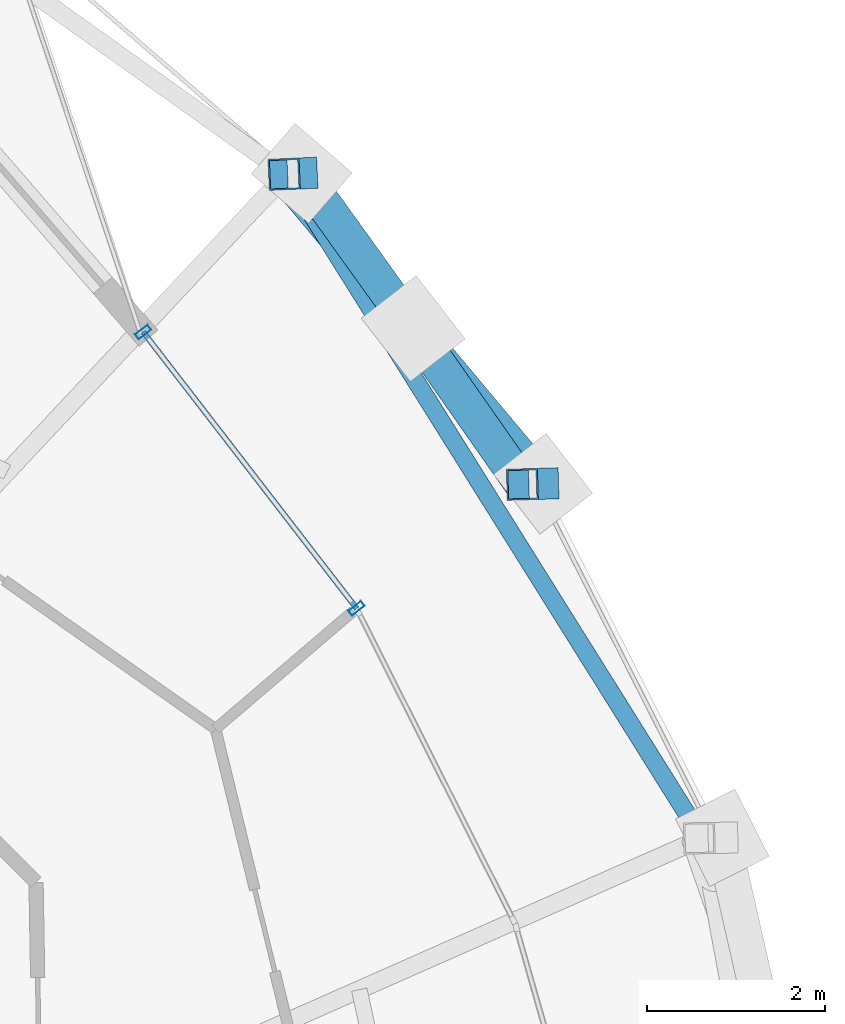
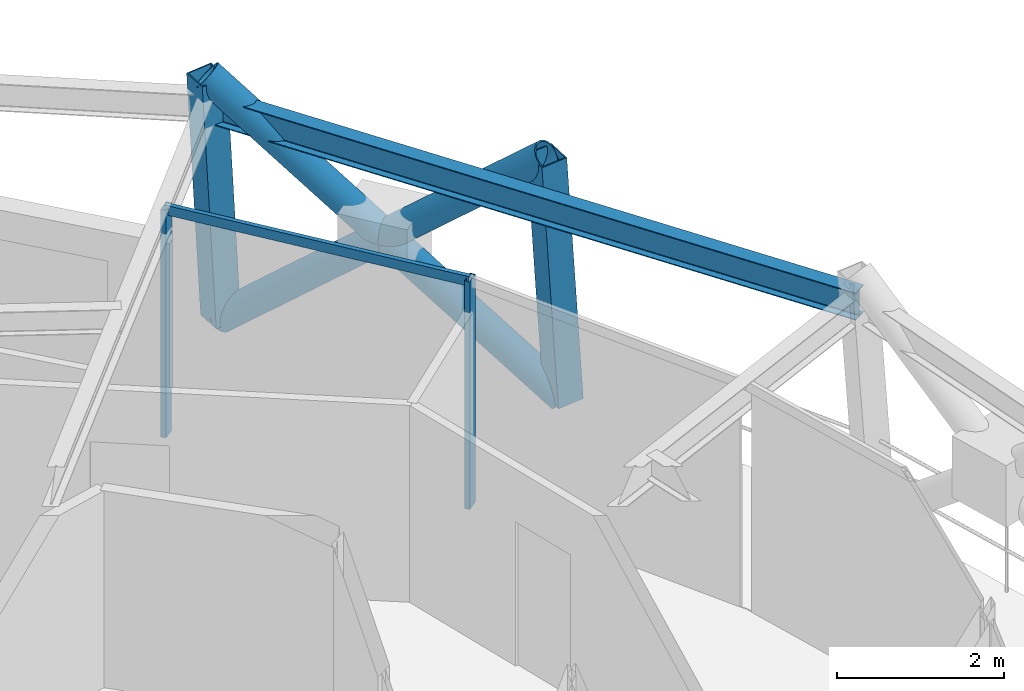
# One storey, part 8 of 15: 8 members, 1 beam, 1 element without a shape of its own.
"""IFC4 building model written with IfcOpenShell, lengths in metres."""

from ifc_helpers import new_model, si_unit, direction, frame, origin, origin_2d, place, context, subcontext, project, spatial, hollow_rectangle, hollow_circle, i_section, extrude, material, layer, layer_set, material_profile, profile_set, type_object, element, aggregate, save


model = new_model("IFC4")

# Units and contexts
model_context = context("Model", 3, precision=1e-05, world=origin(), true_north=direction((0.0, 1.0)))
body_context = subcontext(model_context, "Body", "Model", "MODEL_VIEW")
ifc_project = project(units=[si_unit("LENGTHUNIT", "METRE"), si_unit("AREAUNIT", "SQUARE_METRE"), si_unit("VOLUMEUNIT", "CUBIC_METRE"), si_unit("PLANEANGLEUNIT", "RADIAN"), si_unit("MASSUNIT", "GRAM", prefix="KILO")], contexts=[model_context])

# Site, building, storey
site_placement = place(None, origin())
site = spatial("IfcSite", under=ifc_project, at=site_placement, CompositionType="ELEMENT")
building_placement = place(site_placement, origin())
building = spatial("IfcBuilding", under=site, at=building_placement, Name="Veldorina Hangang Commons", CompositionType="ELEMENT")
storey_placement = place(building_placement, frame((0.0, 0.0, 265.199951171875)))
storey = spatial("IfcBuildingStorey", under=building, at=storey_placement, Name="L69", CompositionType="ELEMENT", Elevation=265.199951171875)

# Beam
ifc_material_1 = material(Name="Steel SM355-TMC", Category="steel")
ifc_material_profile_1 = material_profile(ifc_material_1, i_section(OverallWidth=0.199951171875, OverallDepth=0.39990234375, WebThickness=0.008056640625, FlangeThickness=0.012939453125, FilletRadius=0.012939453125, at=origin_2d()), Name="H-400x200x8x13")
ifc_profile_set_1 = profile_set([ifc_material_profile_1], Name="Steel SM355-TMC")
beam_type = type_object("IfcBeamType", Name="BM-RB400", PredefinedType="BEAM", material=ifc_profile_set_1)
beam_placement = place(storey_placement, frame((51.910400390625, 32.80126953125, 3.16015625), z_axis=(-0.530664395291, 0.847582031175, 0.0), x_axis=(-0.847582031175, -0.530664395291, 0.0)))
element("IfcBeam", 1, at=beam_placement, inside=storey, type_object=beam_type, Name="L69 perimeter hoop ring beam 02", PredefinedType="BEAM", context=body_context, shape_type="SweptSolid", body=[
    extrude(i_section(OverallWidth=0.199951171875, OverallDepth=0.39990234375, WebThickness=0.008056640625, FlangeThickness=0.012939453125, FilletRadius=0.012939453125, at=origin_2d()), origin(), (0.0, 0.0, 1.0), 8.802978515625),
])

# Curtain wall, members
ifc_material_2 = material(Name="Glass Low-E Selective", Category="glass")
ifc_layer = layer(ifc_material_2, 0.179931640625)
ifc_layer_set = layer_set([ifc_layer], Name="Glass Low-E Selective")
curtain_wall_type = type_object("IfcCurtainWallType", Name="CW-SYS-Z3", PredefinedType="NOTDEFINED", material=ifc_layer_set)
curtain_wall_placement = place(storey_placement, origin())
curtain_wall = element("IfcCurtainWall", 2, at=curtain_wall_placement, inside=storey, type_object=curtain_wall_type, Name="L69 unitised curtain wall CW-L69-R2", PredefinedType="NOTDEFINED")
ifc_material_3 = material(Name="Aluminium Anodized AA6063-T6", Category="aluminium")
ifc_material_profile_2 = material_profile(ifc_material_3, hollow_rectangle(XDim=0.070068359375, YDim=0.179931640625, WallThickness=0.00390625, at=origin_2d()), Name="ALU-RHS-180x70x4")
ifc_profile_set_2 = profile_set([ifc_material_profile_2], Name="Aluminium Anodized AA6063-T6")
member_type_1 = type_object("IfcMemberType", Name="CW-MUL-180", PredefinedType="MULLION", material=ifc_profile_set_2)
member_1_placement = place(storey_placement, frame((48.027587890625, 35.383056640625, 0.0), z_axis=(0.0, 0.0, 1.0), x_axis=(-0.611126487654, 0.791532953254, 0.0)))
member_1 = element("IfcMember", 3, at=member_1_placement, type_object=member_type_1, Name="CW-L69-R2 vertical mullion 3", PredefinedType="MULLION", context=body_context, shape_type="SweptSolid", body=[
    extrude(hollow_rectangle(XDim=0.070068359375, YDim=0.179931640625, WallThickness=0.00390625, at=origin_2d()), origin(), (0.0, 0.0, 1.0), 3.320068359375),
])
member_2_placement = place(storey_placement, frame((45.630615234375, 38.488037109375, 0.0), z_axis=(0.0, 0.0, 1.0), x_axis=(0.611126487654, -0.791532953254, 0.0)))
member_2 = element("IfcMember", 4, at=member_2_placement, type_object=member_type_1, Name="CW-L69-R2 vertical mullion 4", PredefinedType="MULLION", context=body_context, shape_type="SweptSolid", body=[
    extrude(hollow_rectangle(XDim=0.070068359375, YDim=0.179931640625, WallThickness=0.00390625, at=origin_2d()), origin(), (0.0, 0.0, 1.0), 3.320068359375),
])
ifc_material_profile_3 = material_profile(ifc_material_3, hollow_rectangle(XDim=0.06005859375, YDim=0.139892578125, WallThickness=0.00341796875, at=origin_2d()), Name="ALU-RHS-140x60x3.5")
ifc_profile_set_3 = profile_set([ifc_material_profile_3], Name="Aluminium Anodized AA6063-T6")
member_type_2 = type_object("IfcMemberType", Name="CW-TRN-140", PredefinedType="USERDEFINED", material=ifc_profile_set_3)
member_3_placement = place(storey_placement, frame((48.027587890625, 35.383056640625, 3.280029296875), z_axis=(-0.611075440924, 0.791572362769, 0.0), x_axis=(-0.791572362769, -0.611075440924, 0.0)))
member_3 = element("IfcMember", 5, at=member_3_placement, type_object=member_type_2, Name="CW-L69-R2 facet 5 transom 1", ObjectType="TRANSOM", PredefinedType="USERDEFINED", context=body_context, shape_type="SweptSolid", body=[
    extrude(hollow_rectangle(XDim=0.06005859375, YDim=0.139892578125, WallThickness=0.00341796875, at=origin_2d()), origin(), (0.0, 0.0, 1.0), 3.922607421875),
])
aggregate(curtain_wall, [member_1, member_2, member_3])

# Members
ifc_material_profile_4 = material_profile(ifc_material_1, hollow_circle(Radius=0.199951171875, WallThickness=0.02001953125, at=origin_2d()), Name="CHS-400x20")
ifc_profile_set_4 = profile_set([ifc_material_profile_4], Name="Steel SM355-TMC")
member_type_3 = type_object("IfcMemberType", Name="DG-CHS400", PredefinedType="BRACE", material=ifc_profile_set_4)
member_4_placement = place(storey_placement, frame((50.123046875, 36.783203125, 0.0), z_axis=(-0.502379875389, 0.600764182388, 0.621849546083), x_axis=(-0.767125531643, -0.64149701379, 0.0)))
element("IfcMember", 6, at=member_4_placement, inside=storey, type_object=member_type_3, Name="L69 continuous perimeter diagrid brace 03", PredefinedType="BRACE", context=body_context, shape_type="SweptSolid", body=[
    extrude(hollow_circle(Radius=0.199951171875, WallThickness=0.02001953125, at=origin_2d()), origin(), (0.0, 0.0, 1.0), 5.789306640625),
])
member_5_placement = place(storey_placement, frame((47.412353515625, 40.27001953125, 0.0), z_axis=(0.446659328209, -0.621632091745, 0.643481924405), x_axis=(0.812101259491, 0.583516533042, 0.0)))
element("IfcMember", 7, at=member_5_placement, inside=storey, type_object=member_type_3, Name="L69 split perimeter diagrid lower brace 04", PredefinedType="BRACE", context=body_context, shape_type="SweptSolid", body=[
    extrude(hollow_circle(Radius=0.199951171875, WallThickness=0.02001953125, at=origin_2d()), origin(), (0.0, 0.0, 1.0), 2.8046875),
])
member_6_placement = place(storey_placement, frame((48.6650390625, 38.526611328125, 1.8046875), z_axis=(0.439142369343, -0.627133793988, 0.643317327519), x_axis=(0.819140654322, 0.573592702566, 0.0)))
element("IfcMember", 8, at=member_6_placement, inside=storey, type_object=member_type_3, Name="L69 split perimeter diagrid upper brace 04", PredefinedType="BRACE", context=body_context, shape_type="SweptSolid", body=[
    extrude(hollow_circle(Radius=0.199951171875, WallThickness=0.02001953125, at=origin_2d()), origin(), (0.0, 0.0, 1.0), 2.790771484375),
])
ifc_material_profile_5 = material_profile(ifc_material_1, hollow_rectangle(XDim=0.35009765625, YDim=0.35009765625, WallThickness=0.01611328125, at=origin_2d()), Name="SHS-350x350x16")
ifc_profile_set_5 = profile_set([ifc_material_profile_5], Name="Steel SM355-TMC")
member_type_4 = type_object("IfcMemberType", Name="STR-SHS350", PredefinedType="STRUT", material=ifc_profile_set_5)
member_7_placement = place(storey_placement, frame((50.123046875, 36.783203125, 0.0), z_axis=(-0.064425642018, -0.001894871824, 0.997920711335), x_axis=(0.029399051602, -0.999567754464, 0.0)))
element("IfcMember", 9, at=member_7_placement, inside=storey, type_object=member_type_4, Name="L69 perimeter ring node post 03", PredefinedType="STRUT", context=body_context, shape_type="SweptSolid", body=[
    extrude(hollow_rectangle(XDim=0.35009765625, YDim=0.35009765625, WallThickness=0.01611328125, at=origin_2d()), origin(), (0.0, 0.0, 1.0), 3.607666015625),
])
member_8_placement = place(storey_placement, frame((47.412353515625, 40.27001953125, 0.0), z_axis=(-0.054847303698, -0.002437657942, 0.998491778184), x_axis=(0.044400613621, -0.999013806466, 0.0)))
element("IfcMember", 10, at=member_8_placement, inside=storey, type_object=member_type_4, Name="L69 perimeter ring node post 04", PredefinedType="STRUT", context=body_context, shape_type="SweptSolid", body=[
    extrude(hollow_rectangle(XDim=0.35009765625, YDim=0.35009765625, WallThickness=0.01611328125, at=origin_2d()), origin(), (0.0, 0.0, 1.0), 3.60546875),
])

save(model, "model.ifc")
